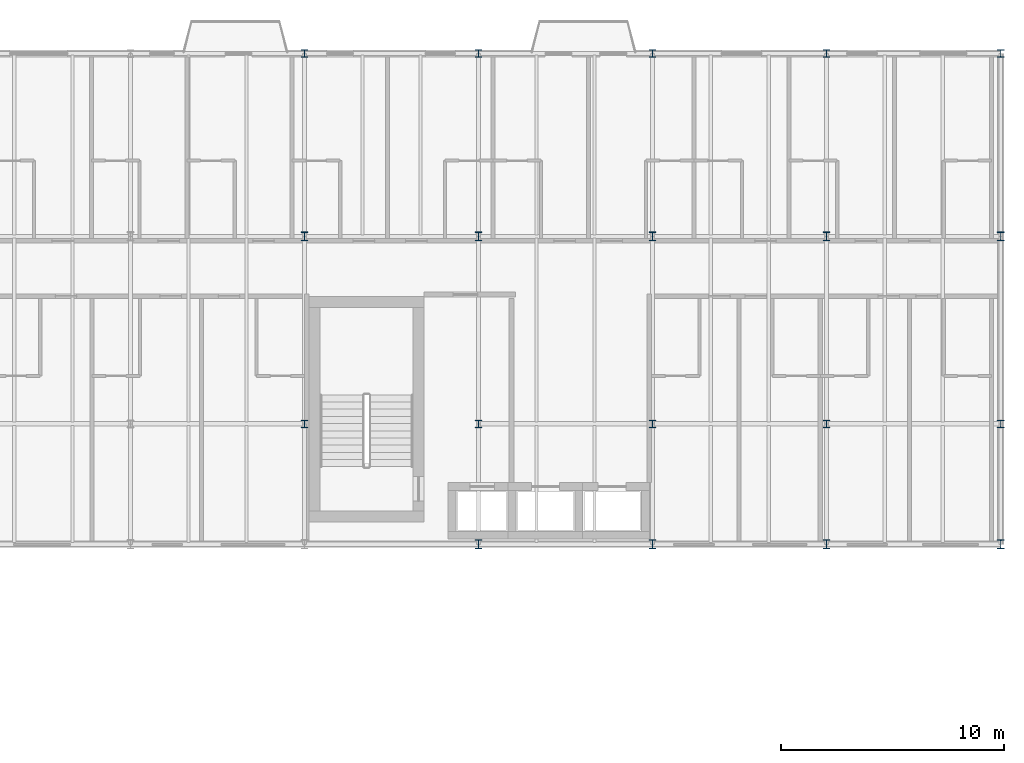
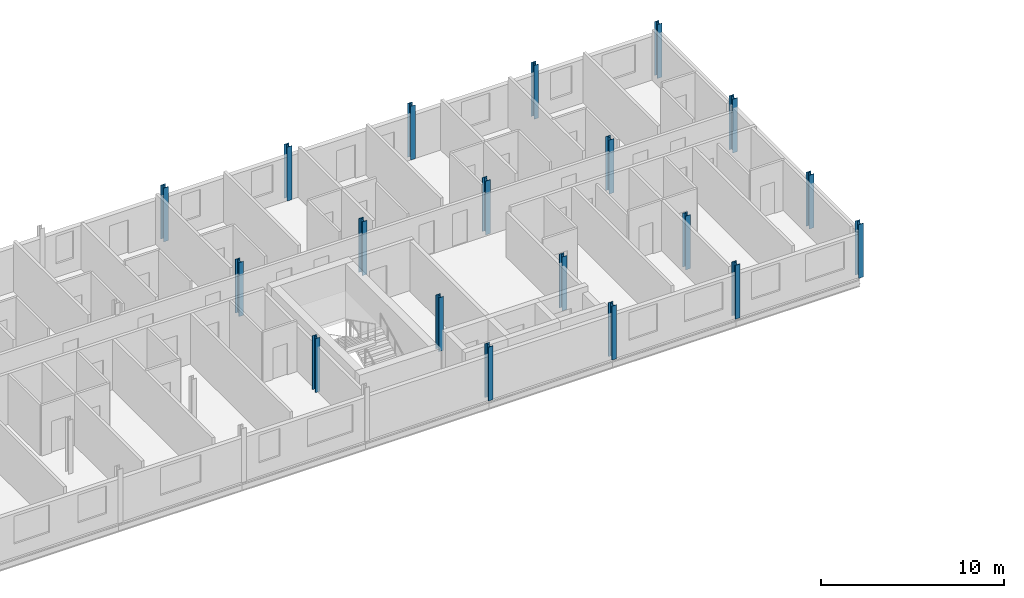
# One storey, part 4 of 25: 19 columns.
"""IFC4 building model written with IfcOpenShell, lengths in metres."""

from ifc_helpers import new_model, si_unit, direction, frame, origin, origin_2d, place, context, subcontext, project, spatial, i_section, extrude, material, material_profile, profile_set, type_object, element, save


model = new_model("IFC4")

# Units and contexts
model_context = context("Model", 3, precision=1e-05, world=origin(), true_north=direction((0.0, 1.0)))
body_context = subcontext(model_context, "Body", "Model", "MODEL_VIEW")
ifc_project = project(units=[si_unit("LENGTHUNIT", "METRE"), si_unit("AREAUNIT", "SQUARE_METRE"), si_unit("VOLUMEUNIT", "CUBIC_METRE"), si_unit("PLANEANGLEUNIT", "RADIAN"), si_unit("MASSUNIT", "GRAM", prefix="KILO")], contexts=[model_context])

# Site, building, storey
site_placement = place(None, origin())
site = spatial("IfcSite", under=ifc_project, at=site_placement, CompositionType="ELEMENT")
building_placement = place(site_placement, origin())
building = spatial("IfcBuilding", under=site, at=building_placement, Name="Sefraquen Railside Congress Hotel", CompositionType="ELEMENT")
storey_placement = place(building_placement, frame((0.0, 0.0, 39.0)))
storey = spatial("IfcBuildingStorey", under=building, at=storey_placement, Name="L09", CompositionType="ELEMENT", Elevation=39.0)

# Columns
ifc_material = material(Name="Steel S355JR", Category="steel")
ifc_material_profile_1 = material_profile(ifc_material, i_section(OverallWidth=0.300048828125, OverallDepth=0.340087890625, WebThickness=0.011962890625, FlangeThickness=0.021484375, FilletRadius=0.027099609375, at=origin_2d()), Name="HEB 340")
ifc_profile_set_1 = profile_set([ifc_material_profile_1], Name="Steel S355JR")
column_type_1 = type_object("IfcColumnType", Name="TC-HEB-340", PredefinedType="COLUMN", material=ifc_profile_set_1)
for number, where, z_axis, x_axis, name in (
    (1, (64.199951171875, 101.39990234375, 0.0), (0.0, 0.0, 1.0), (1.0, 0.0, 0.0), "Structural column 9-N L09"),
    (2, (64.199951171875, 118.0, 0.0), (0.0, 0.0, 1.0), (1.0, 0.0, 0.0), "Structural column 9-Q L09"),
    (3, (72.0, 101.39990234375, 0.0), (0.0, 0.0, 1.0), (1.0, 0.0, 0.0), "Structural column 10-N L09"),
    (4, (72.0, 118.0, 0.0), (0.0, 0.0, 1.0), (1.0, 0.0, 0.0), "Structural column 10-Q L09"),
    (5, (79.800048828125, 101.39990234375, 0.0), (0.0, 0.0, 1.0), (1.0, 0.0, 0.0), "Structural column 11-N L09"),
    (6, (79.800048828125, 118.0, 0.0), (0.0, 0.0, 1.0), (1.0, 0.0, 0.0), "Structural column 11-Q L09"),
    (7, (87.60009765625, 101.39990234375, 0.0), (0.0, 0.0, 1.0), (1.0, 0.0, 0.0), "Structural column 12-N L09"),
    (8, (87.60009765625, 118.0, 0.0), (0.0, 0.0, 1.0), (1.0, 0.0, 0.0), "Structural column 12-Q L09"),
    (9, (95.39990234375, 101.39990234375, 0.0), (0.0, 0.0, 1.0), (1.0, 0.0, 0.0), "Structural column 13-N L09"),
    (10, (95.39990234375, 118.0, 0.0), (0.0, 0.0, 1.0), (1.0, 0.0, 0.0), "Structural column 13-Q L09"),
):
    element("IfcColumn", number, at=place(storey_placement, frame(where, z_axis=z_axis, x_axis=x_axis)), inside=storey, type_object=column_type_1, Name=name, PredefinedType="COLUMN", context=body_context, shape_type="SweptSolid", body=[
        extrude(i_section(OverallWidth=0.300048828125, OverallDepth=0.340087890625, WebThickness=0.011962890625, FlangeThickness=0.021484375, FilletRadius=0.027099609375, at=origin_2d()), origin(), (0.0, 0.0, 1.0), 3.60009765625),
    ])
ifc_material_profile_2 = material_profile(ifc_material, i_section(OverallWidth=0.300048828125, OverallDepth=0.39990234375, WebThickness=0.013427734375, FlangeThickness=0.02392578125, FilletRadius=0.027099609375, at=origin_2d()), Name="HEB 400")
ifc_profile_set_2 = profile_set([ifc_material_profile_2], Name="Steel S355JR")
column_type_2 = type_object("IfcColumnType", Name="TC-HEB-400", PredefinedType="COLUMN", material=ifc_profile_set_2)
for number, where, z_axis, x_axis, name in (
    (11, (64.199951171875, 109.800048828125, 0.0), (0.0, 0.0, 1.0), (1.0, 0.0, 0.0), "Structural column 9-P L09"),
    (12, (72.0, 96.0, 0.0), (0.0, 0.0, 1.0), (1.0, 0.0, 0.0), "Structural column 10-M L09"),
    (13, (72.0, 109.800048828125, 0.0), (0.0, 0.0, 1.0), (1.0, 0.0, 0.0), "Structural column 10-P L09"),
    (14, (79.800048828125, 96.0, 0.0), (0.0, 0.0, 1.0), (1.0, 0.0, 0.0), "Structural column 11-M L09"),
    (15, (79.800048828125, 109.800048828125, 0.0), (0.0, 0.0, 1.0), (1.0, 0.0, 0.0), "Structural column 11-P L09"),
    (16, (87.60009765625, 96.0, 0.0), (0.0, 0.0, 1.0), (1.0, 0.0, 0.0), "Structural column 12-M L09"),
    (17, (87.60009765625, 109.800048828125, 0.0), (0.0, 0.0, 1.0), (1.0, 0.0, 0.0), "Structural column 12-P L09"),
    (18, (95.39990234375, 96.0, 0.0), (0.0, 0.0, 1.0), (1.0, 0.0, 0.0), "Structural column 13-M L09"),
    (19, (95.39990234375, 109.800048828125, 0.0), (0.0, 0.0, 1.0), (1.0, 0.0, 0.0), "Structural column 13-P L09"),
):
    element("IfcColumn", number, at=place(storey_placement, frame(where, z_axis=z_axis, x_axis=x_axis)), inside=storey, type_object=column_type_2, Name=name, PredefinedType="COLUMN", context=body_context, shape_type="SweptSolid", body=[
        extrude(i_section(OverallWidth=0.300048828125, OverallDepth=0.39990234375, WebThickness=0.013427734375, FlangeThickness=0.02392578125, FilletRadius=0.027099609375, at=origin_2d()), origin(), (0.0, 0.0, 1.0), 3.60009765625),
    ])

save(model, "model.ifc")
